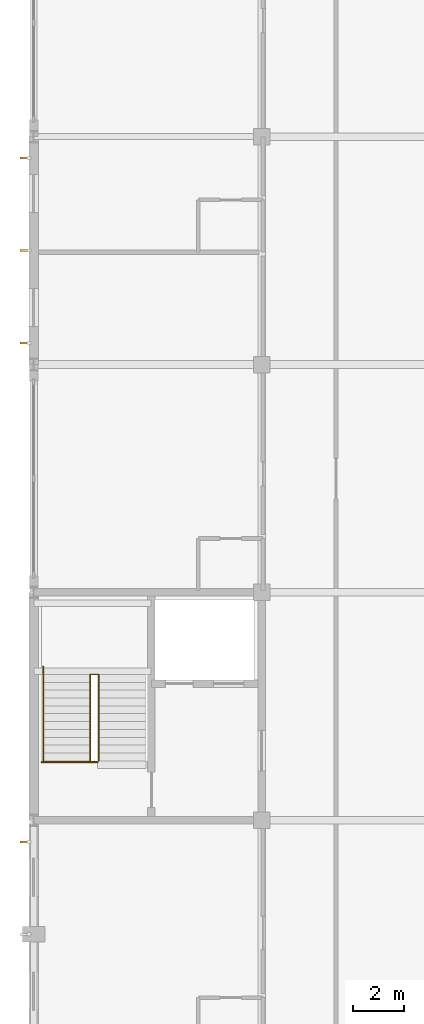
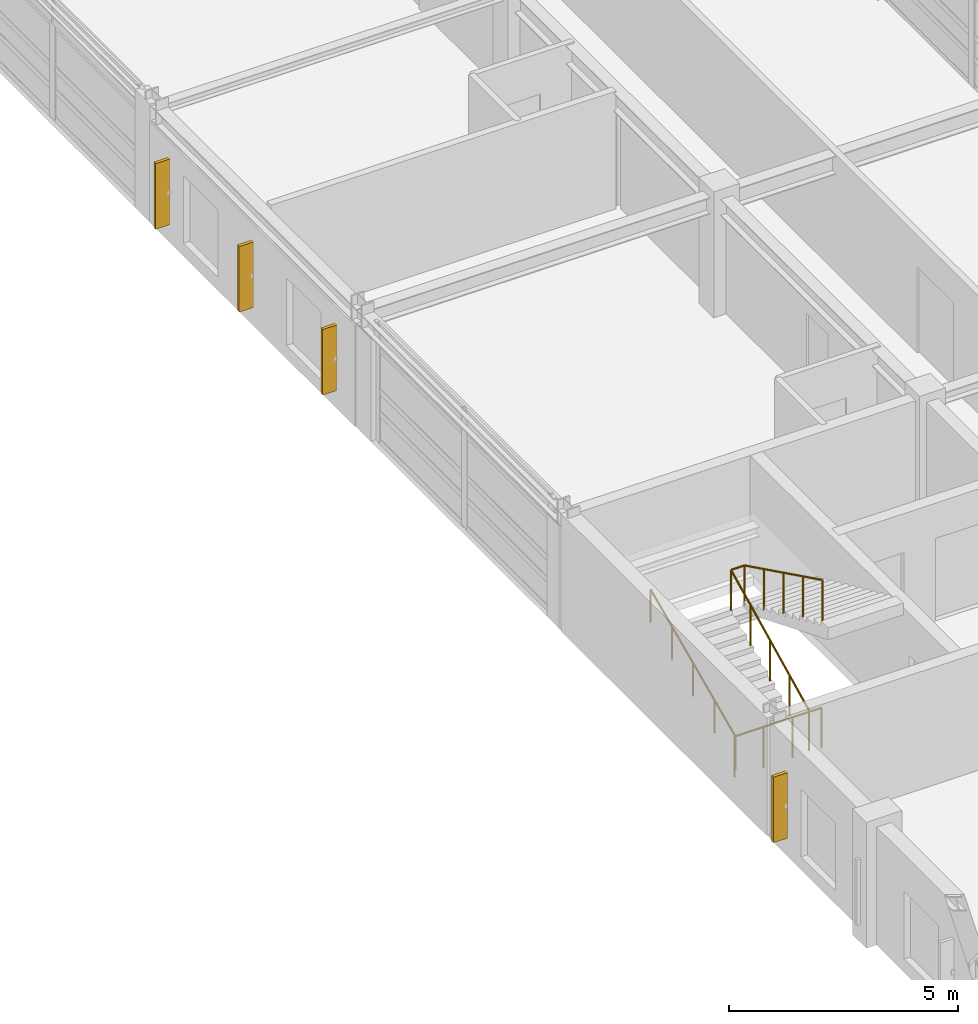
# One storey, part 88 of 91: 4 shading devices, 3 railings.
"""IFC4 building model written with IfcOpenShell, lengths in metres."""

from ifc_helpers import new_model, si_unit, direction, frame, origin, origin_2d, place, context, subcontext, project, spatial, rectangle, circle, extrude, material, type_object, element, save


model = new_model("IFC4")

# Units and contexts
model_context = context("Model", 3, precision=1e-05, world=origin(), true_north=direction((0.0, 1.0)))
body_context = subcontext(model_context, "Body", "Model", "MODEL_VIEW")
ifc_project = project(units=[si_unit("LENGTHUNIT", "METRE"), si_unit("AREAUNIT", "SQUARE_METRE"), si_unit("VOLUMEUNIT", "CUBIC_METRE"), si_unit("PLANEANGLEUNIT", "RADIAN"), si_unit("MASSUNIT", "GRAM", prefix="KILO")], contexts=[model_context])

# Site, building, storey
site_placement = place(None, origin())
site = spatial("IfcSite", under=ifc_project, at=site_placement, CompositionType="ELEMENT")
building_placement = place(site_placement, origin())
building = spatial("IfcBuilding", under=site, at=building_placement, Name="Palais des Congres Ocreval", CompositionType="ELEMENT")
storey_placement = place(building_placement, frame((0.0, 0.0, 8.159912109375)))
storey = spatial("IfcBuildingStorey", under=building, at=storey_placement, Name="L02", CompositionType="ELEMENT", Elevation=8.159912109375)

# Railings
ifc_material_1 = material(Name="Anodized bronze aluminium", Category="aluminium")
railing_type_1 = type_object("IfcRailingType", Name="Bronze Stair and Ramp Handrail 900", PredefinedType="HANDRAIL", material=ifc_material_1)
railing_1_placement = place(storey_placement, frame((0.3798828125, 38.35009765625, 0.14013671875)))
element("IfcRailing", 1, at=railing_1_placement, inside=storey, type_object=railing_type_1, Name="Stair Wall Handrail ST03 L02", PredefinedType="HANDRAIL", context=body_context, shape_type="SweptSolid", body=[
    extrude(circle(Radius=0.02392578125, at=origin_2d()), frame((0.0, 0.0, 0.8759765625), z_axis=(0.0, 0.911375665887, 0.411575504165), x_axis=(-1.0, 0.0, 0.0)), (0.0, 0.0, 1.0), 4.081787109375),
    extrude(circle(Radius=0.02099609375, at=origin_2d()), origin(), (0.0, 0.0, 1.0), 0.851806640625),
    extrude(circle(Radius=0.02099609375, at=origin_2d()), frame((0.0, 0.929931640625, 0.419921875)), (0.0, 0.0, 1.0), 0.851806640625),
    extrude(circle(Radius=0.02099609375, at=origin_2d()), frame((0.0, 1.85986328125, 0.83984375)), (0.0, 0.0, 1.0), 0.851806640625),
    extrude(circle(Radius=0.02099609375, at=origin_2d()), frame((0.0, 2.7900390625, 1.260009765625)), (0.0, 0.0, 1.0), 0.851806640625),
    extrude(circle(Radius=0.02099609375, at=origin_2d()), frame((0.0, 3.719970703125, 1.679931640625)), (0.0, 0.0, 1.0), 0.851806640625),
])
ifc_material_2 = material(Name="Steel S355", Category="steel")
railing_type_2 = type_object("IfcRailingType", Name="Stairwell Steel Guardrail 1100", PredefinedType="GUARDRAIL", material=ifc_material_2)
railing_2_placement = place(storey_placement, frame((0.320068359375, 38.300048828125, 0.0)))
element("IfcRailing", 2, at=railing_2_placement, inside=storey, type_object=railing_type_2, Name="Stairwell Landing Edge Guard ST03 L02", PredefinedType="GUARDRAIL", context=body_context, shape_type="SweptSolid", body=[
    extrude(circle(Radius=0.02392578125, at=origin_2d()), frame((0.0, 0.0, 1.076171875), z_axis=(1.0, 0.0, 0.0), x_axis=(0.0, 1.0, 0.0)), (0.0, 0.0, 1.0), 2.199951171875),
    extrude(circle(Radius=0.02099609375, at=origin_2d()), origin(), (0.0, 0.0, 1.0), 1.052001953125),
    extrude(circle(Radius=0.02099609375, at=origin_2d()), frame((0.7333984375, 0.0, 0.0)), (0.0, 0.0, 1.0), 1.052001953125),
    extrude(circle(Radius=0.02099609375, at=origin_2d()), frame((1.466552734375, 0.0, 0.0)), (0.0, 0.0, 1.0), 1.052001953125),
    extrude(circle(Radius=0.02099609375, at=origin_2d()), frame((2.199951171875, 0.0, 0.0)), (0.0, 0.0, 1.0), 1.052001953125),
])
railing_3_placement = place(storey_placement, frame((2.22998046875, 38.35009765625, 0.0)))
element("IfcRailing", 3, at=railing_3_placement, inside=storey, type_object=railing_type_2, Name="Stair Inner Guardrail ST03 L02", PredefinedType="GUARDRAIL", context=body_context, shape_type="SweptSolid", body=[
    extrude(circle(Radius=0.02392578125, at=origin_2d()), frame((0.0, 0.0, 1.076171875), z_axis=(0.0, 0.897019490465, 0.441990988285), x_axis=(-1.0, 0.0, 0.0)), (0.0, 0.0, 1.0), 3.80126953125),
    extrude(circle(Radius=0.02392578125, at=origin_2d()), frame((0.0, 3.409912109375, 2.75634765625), z_axis=(1.0, 0.0, 0.0), x_axis=(0.0, 1.0, 0.0)), (0.0, 0.0, 1.0), 0.340087890625),
    extrude(circle(Radius=0.02392578125, at=origin_2d()), frame((0.340087890625, 3.409912109375, 2.75634765625), z_axis=(0.0, -0.897044952961, 0.441939308465), x_axis=(1.0, 0.0, 0.0)), (0.0, 0.0, 1.0), 3.80126953125),
    extrude(circle(Radius=0.02099609375, at=origin_2d()), origin(), (0.0, 0.0, 1.0), 1.052001953125),
    extrude(circle(Radius=0.02099609375, at=origin_2d()), frame((0.0, 0.8525390625, 0.419921875)), (0.0, 0.0, 1.0), 1.052001953125),
    extrude(circle(Radius=0.02099609375, at=origin_2d()), frame((0.0, 1.705078125, 0.840087890625)), (0.0, 0.0, 1.0), 1.052001953125),
    extrude(circle(Radius=0.02099609375, at=origin_2d()), frame((0.0, 2.557373046875, 1.26025390625)), (0.0, 0.0, 1.0), 1.052001953125),
    extrude(circle(Radius=0.02099609375, at=origin_2d()), frame((0.0, 3.409912109375, 1.68017578125)), (0.0, 0.0, 1.0), 1.052001953125),
    extrude(circle(Radius=0.02099609375, at=origin_2d()), frame((0.340087890625, 3.409912109375, 1.68017578125)), (0.0, 0.0, 1.0), 1.052001953125),
    extrude(circle(Radius=0.02099609375, at=origin_2d()), frame((0.340087890625, 2.557373046875, 2.10009765625)), (0.0, 0.0, 1.0), 1.052001953125),
    extrude(circle(Radius=0.02099609375, at=origin_2d()), frame((0.340087890625, 1.705078125, 2.52001953125)), (0.0, 0.0, 1.0), 1.052001953125),
    extrude(circle(Radius=0.02099609375, at=origin_2d()), frame((0.340087890625, 0.8525390625, 2.940185546875)), (0.0, 0.0, 1.0), 1.052001953125),
    extrude(circle(Radius=0.02099609375, at=origin_2d()), frame((0.340087890625, 0.0, 3.360107421875)), (0.0, 0.0, 1.0), 1.052001953125),
])

# Shading devices
ifc_material_3 = material(Name="Terracotta ceramic", Category="masonry")
shading_device_type = type_object("IfcShadingDeviceType", Name="Terracotta Ceramic Brise-Soleil Fin 360", PredefinedType="JALOUSIE", material=ifc_material_3)
for number, where, z_axis, x_axis, name in (
    (4, (-0.360107421875, 35.14990234375, 0.47509765625), (0.0, 0.0, 1.0), (-1.0, 0.0, 0.0), "Ceramic Celosia Sun-Fin SD01"),
    (5, (-0.360107421875, 54.85009765625, 0.47509765625), (0.0, 0.0, 1.0), (-1.0, 0.0, 0.0), "Ceramic Celosia Sun-Fin SD01"),
    (6, (-0.360107421875, 58.5, 0.47509765625), (0.0, 0.0, 1.0), (-1.0, 0.0, 0.0), "Ceramic Celosia Sun-Fin SD01"),
    (7, (-0.360107421875, 62.14990234375, 0.47509765625), (0.0, 0.0, 1.0), (-1.0, 0.0, 0.0), "Ceramic Celosia Sun-Fin SD01"),
):
    element("IfcShadingDevice", number, at=place(storey_placement, frame(where, z_axis=z_axis, x_axis=x_axis)), inside=storey, type_object=shading_device_type, Name=name, PredefinedType="JALOUSIE", context=body_context, shape_type="SweptSolid", body=[
        extrude(rectangle(XDim=0.360107421875, YDim=0.080078125, at=origin_2d()), origin(), (0.0, 0.0, 1.0), 1.75),
    ])

save(model, "model.ifc")
